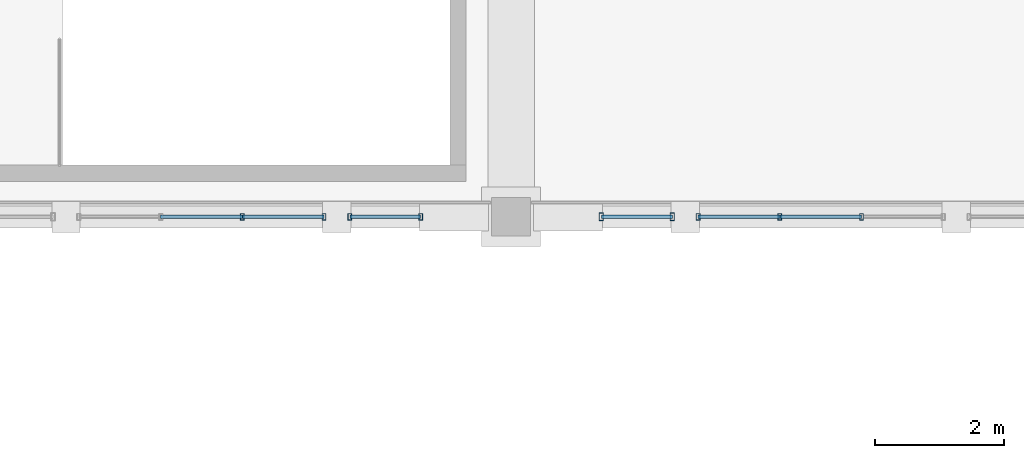
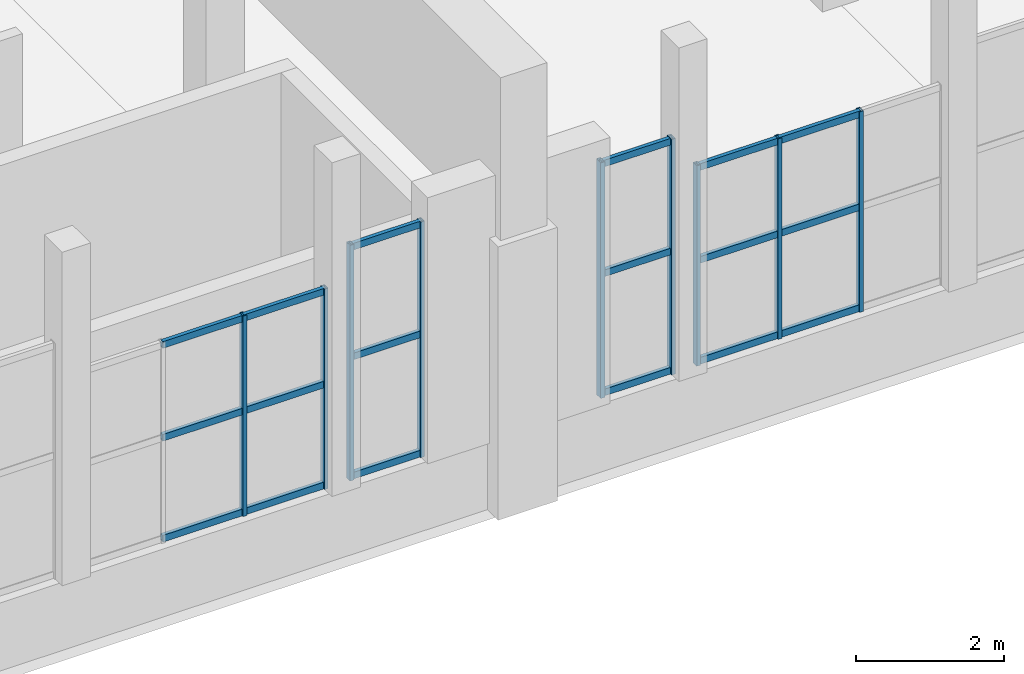
# One storey, part 10 of 46: 27 members, 4 elements without a shape of their own.
"""IFC4 building model written with IfcOpenShell, lengths in metres."""

from ifc_helpers import new_model, si_unit, direction, frame, origin, origin_2d, place, context, subcontext, project, spatial, hollow_rectangle, extrude, material, material_profile, profile_set, type_object, element, aggregate, save


model = new_model("IFC4")

# Units and contexts
model_context = context("Model", 3, precision=1e-05, world=origin(), true_north=direction((0.0, 1.0)))
body_context = subcontext(model_context, "Body", "Model", "MODEL_VIEW")
ifc_project = project(units=[si_unit("LENGTHUNIT", "METRE"), si_unit("AREAUNIT", "SQUARE_METRE"), si_unit("VOLUMEUNIT", "CUBIC_METRE"), si_unit("PLANEANGLEUNIT", "RADIAN"), si_unit("MASSUNIT", "GRAM", prefix="KILO")], contexts=[model_context])

# Site, building, storey
site_placement = place(None, origin())
site = spatial("IfcSite", under=ifc_project, at=site_placement, CompositionType="ELEMENT")
building_placement = place(site_placement, origin())
building = spatial("IfcBuilding", under=site, at=building_placement, Name="Mavantir Sound Aquarium", CompositionType="ELEMENT")
storey_placement = place(building_placement, frame((0.0, 0.0, 15.300048828125)))
storey = spatial("IfcBuildingStorey", under=building, at=storey_placement, Name="L03", CompositionType="ELEMENT", Elevation=15.300048828125)

# Curtain wall, members
ifc_material_1 = material(Name="Anodised Marine Aluminium and Low-E Glass", Category="aluminium")
curtain_wall_type_1 = type_object("IfcCurtainWallType", Name="CW-T22", PredefinedType="USERDEFINED", material=ifc_material_1)
curtain_wall_1_placement = place(storey_placement, origin())
curtain_wall_1 = element("IfcCurtainWall", 1, at=curtain_wall_1_placement, inside=storey, type_object=curtain_wall_type_1, Name="L03 unitised curtain wall CW-22 165", ObjectType="UNITISED GLAZING", PredefinedType="USERDEFINED")
ifc_material_2 = material(Name="Anodised Marine Aluminium 6063-T6", Category="aluminium")
ifc_material_profile_1 = material_profile(ifc_material_2, hollow_rectangle(XDim=0.06005859375, YDim=0.10009765625, WallThickness=0.00390625, at=origin_2d()), Name="ALU-MULLION-100X60")
ifc_profile_set_1 = profile_set([ifc_material_profile_1], Name="Anodised Marine Aluminium 6063-T6")
member_type_1 = type_object("IfcMemberType", Name="CW-MUL-100", PredefinedType="MULLION", material=ifc_profile_set_1)
member_1_placement = place(storey_placement, frame((151.833251953125, 40.800048828125, 1.119873046875), z_axis=(0.0, 0.0, 1.0), x_axis=(1.0, 0.0, 0.0)))
member_1 = element("IfcMember", 2, at=member_1_placement, type_object=member_type_1, Name="CW-DIOC-5S-C vertical mullion 3", PredefinedType="MULLION", context=body_context, shape_type="SweptSolid", body=[
    extrude(hollow_rectangle(XDim=0.06005859375, YDim=0.10009765625, WallThickness=0.00390625, at=origin_2d()), origin(), (0.0, 0.0, 1.0), 3.300048828125),
])
member_2_placement = place(storey_placement, frame((153.10009765625, 40.800048828125, 1.119873046875), z_axis=(0.0, 0.0, 1.0), x_axis=(1.0, 0.0, 0.0)))
member_2 = element("IfcMember", 3, at=member_2_placement, type_object=member_type_1, Name="CW-DIOC-5S-C vertical mullion 4", PredefinedType="MULLION", context=body_context, shape_type="SweptSolid", body=[
    extrude(hollow_rectangle(XDim=0.06005859375, YDim=0.10009765625, WallThickness=0.00390625, at=origin_2d()), origin(), (0.0, 0.0, 1.0), 3.300048828125),
])

curtain_wall_type_2 = type_object("IfcCurtainWallType", Name="CW-T24", PredefinedType="USERDEFINED", material=ifc_material_1)
curtain_wall_2_placement = place(storey_placement, origin())
curtain_wall_2 = element("IfcCurtainWall", 4, at=curtain_wall_2_placement, inside=storey, type_object=curtain_wall_type_2, Name="L03 unitised curtain wall CW-24 167", ObjectType="UNITISED GLAZING", PredefinedType="USERDEFINED")
member_3_placement = place(storey_placement, frame((153.5, 40.800048828125, 1.119873046875), z_axis=(0.0, 0.0, 1.0), x_axis=(1.0, 0.0, 0.0)))
member_3 = element("IfcMember", 5, at=member_3_placement, type_object=member_type_1, Name="CW-DIOC-5S-R vertical mullion 1", PredefinedType="MULLION", context=body_context, shape_type="SweptSolid", body=[
    extrude(hollow_rectangle(XDim=0.06005859375, YDim=0.10009765625, WallThickness=0.00390625, at=origin_2d()), origin(), (0.0, 0.0, 1.0), 3.880126953125),
])
member_4_placement = place(storey_placement, frame((154.60009765625, 40.800048828125, 1.119873046875), z_axis=(0.0, 0.0, 1.0), x_axis=(1.0, 0.0, 0.0)))
member_4 = element("IfcMember", 6, at=member_4_placement, type_object=member_type_1, Name="CW-DIOC-5S-R vertical mullion 2", PredefinedType="MULLION", context=body_context, shape_type="SweptSolid", body=[
    extrude(hollow_rectangle(XDim=0.06005859375, YDim=0.10009765625, WallThickness=0.00390625, at=origin_2d()), origin(), (0.0, 0.0, 1.0), 3.880126953125),
])

curtain_wall_type_3 = type_object("IfcCurtainWallType", Name="CW-T04", PredefinedType="USERDEFINED", material=ifc_material_1)
curtain_wall_3_placement = place(storey_placement, origin())
curtain_wall_3 = element("IfcCurtainWall", 7, at=curtain_wall_3_placement, inside=storey, type_object=curtain_wall_type_3, Name="L03 unitised curtain wall CW-04 171", ObjectType="UNITISED GLAZING", PredefinedType="USERDEFINED")
member_5_placement = place(storey_placement, frame((158.89990234375, 40.800048828125, 1.119873046875), z_axis=(0.0, 0.0, 1.0), x_axis=(1.0, 0.0, 0.0)))
member_5 = element("IfcMember", 8, at=member_5_placement, type_object=member_type_1, Name="CW-DIOC-6S-C vertical mullion 1", PredefinedType="MULLION", context=body_context, shape_type="SweptSolid", body=[
    extrude(hollow_rectangle(XDim=0.06005859375, YDim=0.10009765625, WallThickness=0.00390625, at=origin_2d()), origin(), (0.0, 0.0, 1.0), 3.300048828125),
])
member_6_placement = place(storey_placement, frame((160.166748046875, 40.800048828125, 1.119873046875), z_axis=(0.0, 0.0, 1.0), x_axis=(1.0, 0.0, 0.0)))
member_6 = element("IfcMember", 9, at=member_6_placement, type_object=member_type_1, Name="CW-DIOC-6S-C vertical mullion 2", PredefinedType="MULLION", context=body_context, shape_type="SweptSolid", body=[
    extrude(hollow_rectangle(XDim=0.06005859375, YDim=0.10009765625, WallThickness=0.00390625, at=origin_2d()), origin(), (0.0, 0.0, 1.0), 3.300048828125),
])
member_7_placement = place(storey_placement, frame((161.433349609375, 40.800048828125, 1.119873046875), z_axis=(0.0, 0.0, 1.0), x_axis=(1.0, 0.0, 0.0)))
member_7 = element("IfcMember", 10, at=member_7_placement, type_object=member_type_1, Name="CW-DIOC-6S-C vertical mullion 3", PredefinedType="MULLION", context=body_context, shape_type="SweptSolid", body=[
    extrude(hollow_rectangle(XDim=0.06005859375, YDim=0.10009765625, WallThickness=0.00390625, at=origin_2d()), origin(), (0.0, 0.0, 1.0), 3.300048828125),
])

curtain_wall_type_4 = type_object("IfcCurtainWallType", Name="CW-T05", PredefinedType="USERDEFINED", material=ifc_material_1)
curtain_wall_4_placement = place(storey_placement, origin())
curtain_wall_4 = element("IfcCurtainWall", 11, at=curtain_wall_4_placement, inside=storey, type_object=curtain_wall_type_4, Name="L03 unitised curtain wall CW-05 172", ObjectType="UNITISED GLAZING", PredefinedType="USERDEFINED")
ifc_material_profile_2 = material_profile(ifc_material_2, hollow_rectangle(XDim=0.06494140625, YDim=0.1201171875, WallThickness=0.00390625, at=origin_2d()), Name="ALU-MULLION-120X65")
ifc_profile_set_2 = profile_set([ifc_material_profile_2], Name="Anodised Marine Aluminium 6063-T6")
member_type_2 = type_object("IfcMemberType", Name="CW-MUL-120", PredefinedType="MULLION", material=ifc_profile_set_2)
member_8_placement = place(storey_placement, frame((157.39990234375, 40.800048828125, 1.119873046875), z_axis=(0.0, 0.0, 1.0), x_axis=(1.0, 0.0, 0.0)))
member_8 = element("IfcMember", 12, at=member_8_placement, type_object=member_type_2, Name="CW-DIOC-6S-L vertical mullion 1", PredefinedType="MULLION", context=body_context, shape_type="SweptSolid", body=[
    extrude(hollow_rectangle(XDim=0.06494140625, YDim=0.1201171875, WallThickness=0.00390625, at=origin_2d()), origin(), (0.0, 0.0, 1.0), 3.880126953125),
])
member_9_placement = place(storey_placement, frame((158.5, 40.800048828125, 1.119873046875), z_axis=(0.0, 0.0, 1.0), x_axis=(1.0, 0.0, 0.0)))
member_9 = element("IfcMember", 13, at=member_9_placement, type_object=member_type_2, Name="CW-DIOC-6S-L vertical mullion 2", PredefinedType="MULLION", context=body_context, shape_type="SweptSolid", body=[
    extrude(hollow_rectangle(XDim=0.06494140625, YDim=0.1201171875, WallThickness=0.00390625, at=origin_2d()), origin(), (0.0, 0.0, 1.0), 3.880126953125),
])

# Member
ifc_material_profile_3 = material_profile(ifc_material_2, hollow_rectangle(XDim=0.06005859375, YDim=0.110107421875, WallThickness=0.00390625, at=origin_2d()), Name="ALU-TRANSOM-110X60")
ifc_profile_set_3 = profile_set([ifc_material_profile_3], Name="Anodised Marine Aluminium 6063-T6")
member_type_3 = type_object("IfcMemberType", Name="CW-TRN-110", PredefinedType="USERDEFINED", material=ifc_profile_set_3)
member_10_placement = place(storey_placement, frame((150.566650390625, 40.800048828125, 1.175048828125), z_axis=(1.0, 0.0, 0.0), x_axis=(0.0, 1.0, 0.0)))
member_10 = element("IfcMember", 14, at=member_10_placement, type_object=member_type_3, Name="CW-DIOC-5S-C transom 2.1", ObjectType="TRANSOM", PredefinedType="USERDEFINED", context=body_context, shape_type="SweptSolid", body=[
    extrude(hollow_rectangle(XDim=0.06005859375, YDim=0.110107421875, WallThickness=0.00390625, at=origin_2d()), origin(), (0.0, 0.0, 1.0), 1.2666015625),
])

member_11_placement = place(storey_placement, frame((150.566650390625, 40.800048828125, 2.8359375), z_axis=(1.0, 0.0, 0.0), x_axis=(0.0, 1.0, 0.0)))
member_11 = element("IfcMember", 15, at=member_11_placement, type_object=member_type_3, Name="CW-DIOC-5S-C transom 2.2", ObjectType="TRANSOM", PredefinedType="USERDEFINED", context=body_context, shape_type="SweptSolid", body=[
    extrude(hollow_rectangle(XDim=0.06005859375, YDim=0.110107421875, WallThickness=0.00390625, at=origin_2d()), origin(), (0.0, 0.0, 1.0), 1.2666015625),
])

member_12_placement = place(storey_placement, frame((150.566650390625, 40.800048828125, 4.364990234375), z_axis=(1.0, 0.0, 0.0), x_axis=(0.0, 1.0, 0.0)))
member_12 = element("IfcMember", 16, at=member_12_placement, type_object=member_type_3, Name="CW-DIOC-5S-C transom 2.3", ObjectType="TRANSOM", PredefinedType="USERDEFINED", context=body_context, shape_type="SweptSolid", body=[
    extrude(hollow_rectangle(XDim=0.06005859375, YDim=0.110107421875, WallThickness=0.00390625, at=origin_2d()), origin(), (0.0, 0.0, 1.0), 1.2666015625),
])

member_13_placement = place(storey_placement, frame((151.833251953125, 40.800048828125, 1.175048828125), z_axis=(1.0, 0.0, 0.0), x_axis=(0.0, 1.0, 0.0)))
member_13 = element("IfcMember", 17, at=member_13_placement, type_object=member_type_3, Name="CW-DIOC-5S-C transom 3.1", ObjectType="TRANSOM", PredefinedType="USERDEFINED", context=body_context, shape_type="SweptSolid", body=[
    extrude(hollow_rectangle(XDim=0.06005859375, YDim=0.110107421875, WallThickness=0.00390625, at=origin_2d()), origin(), (0.0, 0.0, 1.0), 1.266845703125),
])

member_14_placement = place(storey_placement, frame((151.833251953125, 40.800048828125, 2.8359375), z_axis=(1.0, 0.0, 0.0), x_axis=(0.0, 1.0, 0.0)))
member_14 = element("IfcMember", 18, at=member_14_placement, type_object=member_type_3, Name="CW-DIOC-5S-C transom 3.2", ObjectType="TRANSOM", PredefinedType="USERDEFINED", context=body_context, shape_type="SweptSolid", body=[
    extrude(hollow_rectangle(XDim=0.06005859375, YDim=0.110107421875, WallThickness=0.00390625, at=origin_2d()), origin(), (0.0, 0.0, 1.0), 1.266845703125),
])

member_15_placement = place(storey_placement, frame((151.833251953125, 40.800048828125, 4.364990234375), z_axis=(1.0, 0.0, 0.0), x_axis=(0.0, 1.0, 0.0)))
member_15 = element("IfcMember", 19, at=member_15_placement, type_object=member_type_3, Name="CW-DIOC-5S-C transom 3.3", ObjectType="TRANSOM", PredefinedType="USERDEFINED", context=body_context, shape_type="SweptSolid", body=[
    extrude(hollow_rectangle(XDim=0.06005859375, YDim=0.110107421875, WallThickness=0.00390625, at=origin_2d()), origin(), (0.0, 0.0, 1.0), 1.266845703125),
])

aggregate(curtain_wall_1, [member_1, member_2, member_10, member_11, member_12, member_13, member_14, member_15])

member_16_placement = place(storey_placement, frame((153.5, 40.800048828125, 1.175048828125), z_axis=(1.0, 0.0, 0.0), x_axis=(0.0, 1.0, 0.0)))
member_16 = element("IfcMember", 20, at=member_16_placement, type_object=member_type_3, Name="CW-DIOC-5S-R transom 1.1", ObjectType="TRANSOM", PredefinedType="USERDEFINED", context=body_context, shape_type="SweptSolid", body=[
    extrude(hollow_rectangle(XDim=0.06005859375, YDim=0.110107421875, WallThickness=0.00390625, at=origin_2d()), origin(), (0.0, 0.0, 1.0), 1.10009765625),
])

member_17_placement = place(storey_placement, frame((153.5, 40.800048828125, 3.137451171875), z_axis=(1.0, 0.0, 0.0), x_axis=(0.0, 1.0, 0.0)))
member_17 = element("IfcMember", 21, at=member_17_placement, type_object=member_type_3, Name="CW-DIOC-5S-R transom 1.2", ObjectType="TRANSOM", PredefinedType="USERDEFINED", context=body_context, shape_type="SweptSolid", body=[
    extrude(hollow_rectangle(XDim=0.06005859375, YDim=0.110107421875, WallThickness=0.00390625, at=origin_2d()), origin(), (0.0, 0.0, 1.0), 1.10009765625),
])

member_18_placement = place(storey_placement, frame((153.5, 40.800048828125, 4.945068359375), z_axis=(1.0, 0.0, 0.0), x_axis=(0.0, 1.0, 0.0)))
member_18 = element("IfcMember", 22, at=member_18_placement, type_object=member_type_3, Name="CW-DIOC-5S-R transom 1.3", ObjectType="TRANSOM", PredefinedType="USERDEFINED", context=body_context, shape_type="SweptSolid", body=[
    extrude(hollow_rectangle(XDim=0.06005859375, YDim=0.110107421875, WallThickness=0.00390625, at=origin_2d()), origin(), (0.0, 0.0, 1.0), 1.10009765625),
])

aggregate(curtain_wall_2, [member_3, member_4, member_16, member_17, member_18])

member_19_placement = place(storey_placement, frame((158.89990234375, 40.800048828125, 1.175048828125), z_axis=(1.0, 0.0, 0.0), x_axis=(0.0, 1.0, 0.0)))
member_19 = element("IfcMember", 23, at=member_19_placement, type_object=member_type_3, Name="CW-DIOC-6S-C transom 1.1", ObjectType="TRANSOM", PredefinedType="USERDEFINED", context=body_context, shape_type="SweptSolid", body=[
    extrude(hollow_rectangle(XDim=0.06005859375, YDim=0.110107421875, WallThickness=0.00390625, at=origin_2d()), origin(), (0.0, 0.0, 1.0), 1.266845703125),
])

member_20_placement = place(storey_placement, frame((158.89990234375, 40.800048828125, 2.8359375), z_axis=(1.0, 0.0, 0.0), x_axis=(0.0, 1.0, 0.0)))
member_20 = element("IfcMember", 24, at=member_20_placement, type_object=member_type_3, Name="CW-DIOC-6S-C transom 1.2", ObjectType="TRANSOM", PredefinedType="USERDEFINED", context=body_context, shape_type="SweptSolid", body=[
    extrude(hollow_rectangle(XDim=0.06005859375, YDim=0.110107421875, WallThickness=0.00390625, at=origin_2d()), origin(), (0.0, 0.0, 1.0), 1.266845703125),
])

member_21_placement = place(storey_placement, frame((158.89990234375, 40.800048828125, 4.364990234375), z_axis=(1.0, 0.0, 0.0), x_axis=(0.0, 1.0, 0.0)))
member_21 = element("IfcMember", 25, at=member_21_placement, type_object=member_type_3, Name="CW-DIOC-6S-C transom 1.3", ObjectType="TRANSOM", PredefinedType="USERDEFINED", context=body_context, shape_type="SweptSolid", body=[
    extrude(hollow_rectangle(XDim=0.06005859375, YDim=0.110107421875, WallThickness=0.00390625, at=origin_2d()), origin(), (0.0, 0.0, 1.0), 1.266845703125),
])

member_22_placement = place(storey_placement, frame((160.166748046875, 40.800048828125, 1.175048828125), z_axis=(1.0, 0.0, 0.0), x_axis=(0.0, 1.0, 0.0)))
member_22 = element("IfcMember", 26, at=member_22_placement, type_object=member_type_3, Name="CW-DIOC-6S-C transom 2.1", ObjectType="TRANSOM", PredefinedType="USERDEFINED", context=body_context, shape_type="SweptSolid", body=[
    extrude(hollow_rectangle(XDim=0.06005859375, YDim=0.110107421875, WallThickness=0.00390625, at=origin_2d()), origin(), (0.0, 0.0, 1.0), 1.2666015625),
])

member_23_placement = place(storey_placement, frame((160.166748046875, 40.800048828125, 2.8359375), z_axis=(1.0, 0.0, 0.0), x_axis=(0.0, 1.0, 0.0)))
member_23 = element("IfcMember", 27, at=member_23_placement, type_object=member_type_3, Name="CW-DIOC-6S-C transom 2.2", ObjectType="TRANSOM", PredefinedType="USERDEFINED", context=body_context, shape_type="SweptSolid", body=[
    extrude(hollow_rectangle(XDim=0.06005859375, YDim=0.110107421875, WallThickness=0.00390625, at=origin_2d()), origin(), (0.0, 0.0, 1.0), 1.2666015625),
])

member_24_placement = place(storey_placement, frame((160.166748046875, 40.800048828125, 4.364990234375), z_axis=(1.0, 0.0, 0.0), x_axis=(0.0, 1.0, 0.0)))
member_24 = element("IfcMember", 28, at=member_24_placement, type_object=member_type_3, Name="CW-DIOC-6S-C transom 2.3", ObjectType="TRANSOM", PredefinedType="USERDEFINED", context=body_context, shape_type="SweptSolid", body=[
    extrude(hollow_rectangle(XDim=0.06005859375, YDim=0.110107421875, WallThickness=0.00390625, at=origin_2d()), origin(), (0.0, 0.0, 1.0), 1.2666015625),
])

aggregate(curtain_wall_3, [member_5, member_6, member_7, member_19, member_20, member_21, member_22, member_23, member_24])

member_25_placement = place(storey_placement, frame((157.39990234375, 40.800048828125, 1.175048828125), z_axis=(1.0, 0.0, 0.0), x_axis=(0.0, 1.0, 0.0)))
member_25 = element("IfcMember", 29, at=member_25_placement, type_object=member_type_3, Name="CW-DIOC-6S-L transom 1.1", ObjectType="TRANSOM", PredefinedType="USERDEFINED", context=body_context, shape_type="SweptSolid", body=[
    extrude(hollow_rectangle(XDim=0.06005859375, YDim=0.110107421875, WallThickness=0.00390625, at=origin_2d()), origin(), (0.0, 0.0, 1.0), 1.10009765625),
])

member_26_placement = place(storey_placement, frame((157.39990234375, 40.800048828125, 3.137451171875), z_axis=(1.0, 0.0, 0.0), x_axis=(0.0, 1.0, 0.0)))
member_26 = element("IfcMember", 30, at=member_26_placement, type_object=member_type_3, Name="CW-DIOC-6S-L transom 1.2", ObjectType="TRANSOM", PredefinedType="USERDEFINED", context=body_context, shape_type="SweptSolid", body=[
    extrude(hollow_rectangle(XDim=0.06005859375, YDim=0.110107421875, WallThickness=0.00390625, at=origin_2d()), origin(), (0.0, 0.0, 1.0), 1.10009765625),
])

member_27_placement = place(storey_placement, frame((157.39990234375, 40.800048828125, 4.945068359375), z_axis=(1.0, 0.0, 0.0), x_axis=(0.0, 1.0, 0.0)))
member_27 = element("IfcMember", 31, at=member_27_placement, type_object=member_type_3, Name="CW-DIOC-6S-L transom 1.3", ObjectType="TRANSOM", PredefinedType="USERDEFINED", context=body_context, shape_type="SweptSolid", body=[
    extrude(hollow_rectangle(XDim=0.06005859375, YDim=0.110107421875, WallThickness=0.00390625, at=origin_2d()), origin(), (0.0, 0.0, 1.0), 1.10009765625),
])

aggregate(curtain_wall_4, [member_8, member_9, member_25, member_26, member_27])

save(model, "model.ifc")
